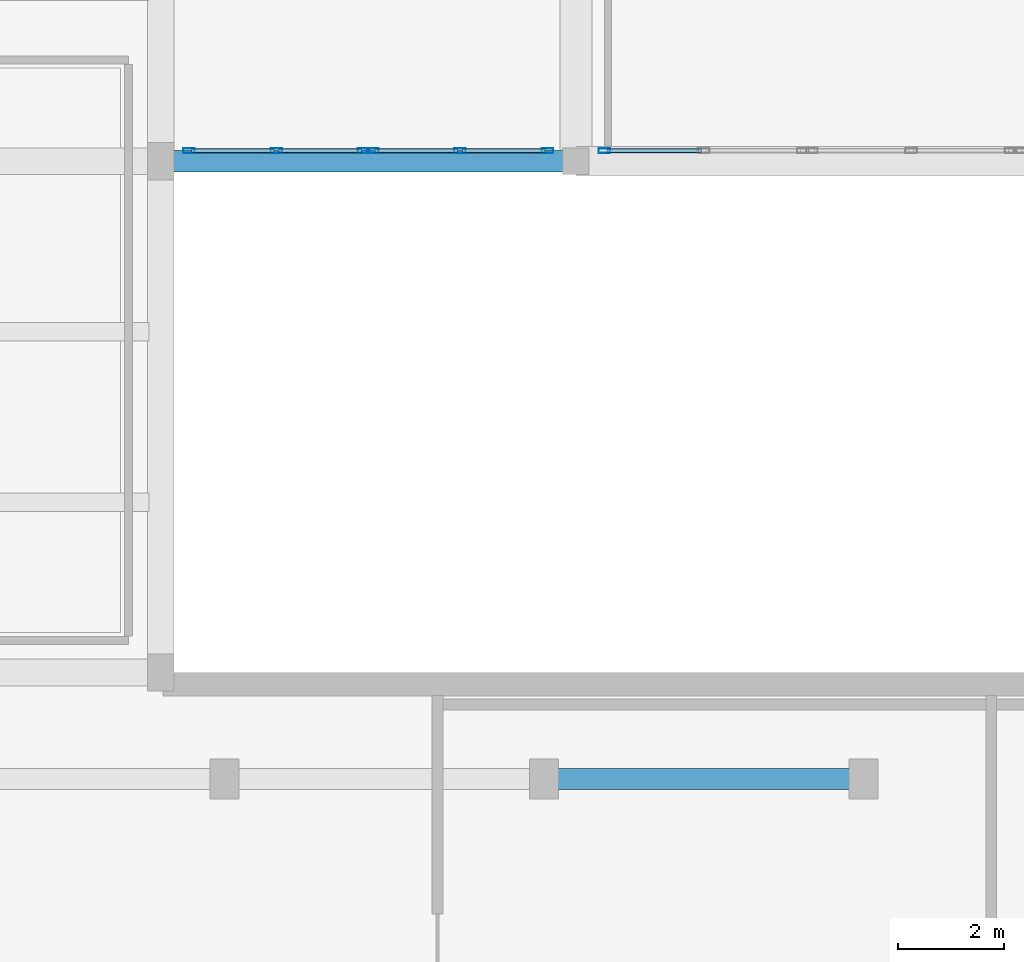
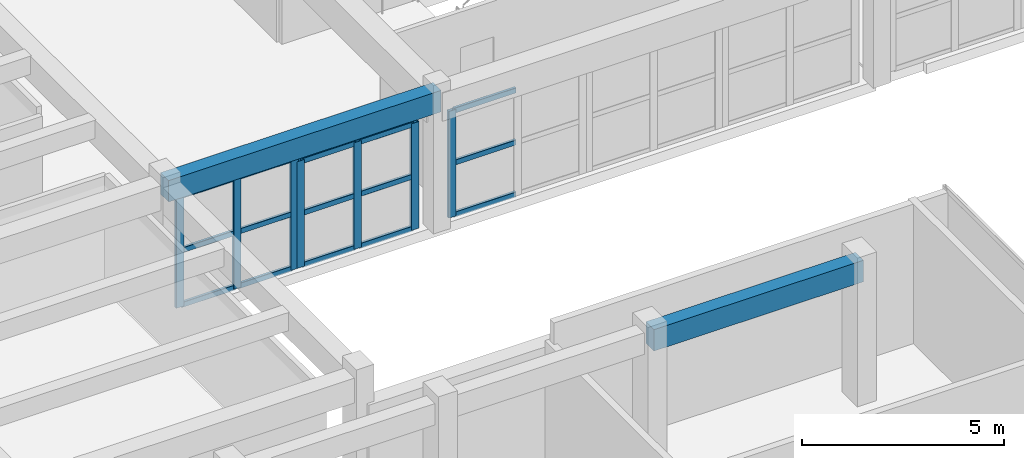
# One storey, part 13 of 92: 22 members, 2 beams, 3 elements without a shape of their own.
"""IFC4 building model written with IfcOpenShell, lengths in metres."""

from ifc_helpers import new_model, si_unit, direction, frame, origin, origin_2d, place, context, subcontext, project, spatial, rectangle, hollow_rectangle, extrude, material, layer, layer_set, material_profile, profile_set, type_object, element, aggregate, save


model = new_model("IFC4")

# Units and contexts
model_context = context("Model", 3, precision=1e-05, world=origin(), true_north=direction((0.0, 1.0)))
body_context = subcontext(model_context, "Body", "Model", "MODEL_VIEW")
ifc_project = project(units=[si_unit("LENGTHUNIT", "METRE"), si_unit("AREAUNIT", "SQUARE_METRE"), si_unit("VOLUMEUNIT", "CUBIC_METRE"), si_unit("PLANEANGLEUNIT", "RADIAN"), si_unit("MASSUNIT", "GRAM", prefix="KILO")], contexts=[model_context])

# Site, building, storey
site_placement = place(None, origin())
site = spatial("IfcSite", under=ifc_project, at=site_placement, CompositionType="ELEMENT")
building_placement = place(site_placement, origin())
building = spatial("IfcBuilding", under=site, at=building_placement, Name="Tarnavel Promenade Courthouse", CompositionType="ELEMENT")
storey_placement = place(building_placement, frame((0.0, 0.0, 5.39990234375)))
storey = spatial("IfcBuildingStorey", under=building, at=storey_placement, Name="L02", CompositionType="ELEMENT", Elevation=5.39990234375)

# Beams
ifc_material_1 = material(Name="Concrete C40/50", Category="concrete")
ifc_material_profile_1 = material_profile(ifc_material_1, rectangle(XDim=0.39990234375, YDim=0.64990234375, at=origin_2d()), Name="RC 400x650")
ifc_profile_set_1 = profile_set([ifc_material_profile_1], Name="Concrete C40/50")
beam_type = type_object("IfcBeamType", Name="Concrete C40/50 BM-RC-400x650 (RC 400x650)", PredefinedType="BEAM", material=ifc_profile_set_1)
beam_1_placement = place(storey_placement, frame((45.60009765625, 35.199951171875, 3.91015625), z_axis=(1.0, 0.0, 0.0), x_axis=(0.0, 1.0, 0.0)))
element("IfcBeam", 1, at=beam_1_placement, inside=storey, type_object=beam_type, Name="L02 Primary Longitudinal Beam 1094", PredefinedType="BEAM", context=body_context, shape_type="SweptSolid", body=[
    extrude(rectangle(XDim=0.39990234375, YDim=0.64990234375, at=origin_2d()), origin(), (0.0, 0.0, 1.0), 6.0),
])
beam_2_placement = place(storey_placement, frame((38.39990234375, 46.800048828125, 3.91015625), z_axis=(1.0, 0.0, 0.0), x_axis=(0.0, 1.0, 0.0)))
element("IfcBeam", 2, at=beam_2_placement, inside=storey, type_object=beam_type, Name="L02 Primary Longitudinal Beam 1108", PredefinedType="BEAM", context=body_context, shape_type="SweptSolid", body=[
    extrude(rectangle(XDim=0.39990234375, YDim=0.64990234375, at=origin_2d()), origin(), (0.0, 0.0, 1.0), 7.800048828125),
])

# Curtain wall, members
ifc_material_2 = material(Name="Thermally Broken Anodised Aluminium Curtain Wall System", Category="aluminium")
ifc_layer = layer(ifc_material_2, 0.239990234375)
ifc_layer_set = layer_set([ifc_layer], Name="Thermally Broken Anodised Aluminium Curtain Wall System")
curtain_wall_type = type_object("IfcCurtainWallType", Name="Thermally Broken Aluminium Triple-Glazed Curtain Wall CW-WG-S", PredefinedType="NOTDEFINED", material=ifc_layer_set)
curtain_wall_1_placement = place(storey_placement, origin())
curtain_wall_1 = element("IfcCurtainWall", 3, at=curtain_wall_1_placement, inside=storey, type_object=curtain_wall_type, Name="L02 Winter-Garden South Solar Curtain Wall 062", PredefinedType="NOTDEFINED")
ifc_material_3 = material(Name="Thermally Broken Anodised Aluminium Frame", Category="aluminium")
ifc_material_profile_2 = material_profile(ifc_material_3, hollow_rectangle(XDim=0.090087890625, YDim=0.219970703125, WallThickness=0.0048828125, InnerFilletRadius=0.0048828125, OuterFilletRadius=0.010009765625, at=origin_2d()), Name="CWM 220x90x5")
ifc_profile_set_2 = profile_set([ifc_material_profile_2], Name="Thermally Broken Anodised Aluminium Frame")
member_type_1 = type_object("IfcMemberType", Name="Thermally Broken Anodised Aluminium CWM-175 (CWM 220x90x5)", PredefinedType="MULLION", material=ifc_profile_set_2)
member_1_placement = place(storey_placement, frame((38.93505859375, 47.0, 0.0), z_axis=(0.0, 0.0, 1.0), x_axis=(0.0, 1.0, 0.0)))
member_1 = element("IfcMember", 4, at=member_1_placement, type_object=member_type_1, Name="CW-02 mullion 1", PredefinedType="MULLION", context=body_context, shape_type="SweptSolid", body=[
    extrude(hollow_rectangle(XDim=0.090087890625, YDim=0.219970703125, WallThickness=0.0048828125, InnerFilletRadius=0.0048828125, OuterFilletRadius=0.010009765625, at=origin_2d()), origin(), (0.0, 0.0, 1.0), 3.380126953125),
])
member_2_placement = place(storey_placement, frame((40.574951171875, 47.0, 0.0), z_axis=(0.0, 0.0, 1.0), x_axis=(0.0, 1.0, 0.0)))
member_2 = element("IfcMember", 5, at=member_2_placement, type_object=member_type_1, Name="CW-02 mullion 2", PredefinedType="MULLION", context=body_context, shape_type="SweptSolid", body=[
    extrude(hollow_rectangle(XDim=0.090087890625, YDim=0.219970703125, WallThickness=0.0048828125, InnerFilletRadius=0.0048828125, OuterFilletRadius=0.010009765625, at=origin_2d()), origin(), (0.0, 0.0, 1.0), 3.380126953125),
])
member_3_placement = place(storey_placement, frame((42.215087890625, 47.0, 0.0), z_axis=(0.0, 0.0, 1.0), x_axis=(0.0, 1.0, 0.0)))
member_3 = element("IfcMember", 6, at=member_3_placement, type_object=member_type_1, Name="CW-02 mullion 3", PredefinedType="MULLION", context=body_context, shape_type="SweptSolid", body=[
    extrude(hollow_rectangle(XDim=0.090087890625, YDim=0.219970703125, WallThickness=0.0048828125, InnerFilletRadius=0.0048828125, OuterFilletRadius=0.010009765625, at=origin_2d()), origin(), (0.0, 0.0, 1.0), 3.380126953125),
])

curtain_wall_2_placement = place(storey_placement, origin())
curtain_wall_2 = element("IfcCurtainWall", 7, at=curtain_wall_2_placement, inside=storey, type_object=curtain_wall_type, Name="L02 Winter-Garden South Solar Curtain Wall 063", PredefinedType="NOTDEFINED")
member_4_placement = place(storey_placement, frame((42.385009765625, 47.0, 0.0), z_axis=(0.0, 0.0, 1.0), x_axis=(0.0, 1.0, 0.0)))
member_4 = element("IfcMember", 8, at=member_4_placement, type_object=member_type_1, Name="CW-02 mullion 1", PredefinedType="MULLION", context=body_context, shape_type="SweptSolid", body=[
    extrude(hollow_rectangle(XDim=0.090087890625, YDim=0.219970703125, WallThickness=0.0048828125, InnerFilletRadius=0.0048828125, OuterFilletRadius=0.010009765625, at=origin_2d()), origin(), (0.0, 0.0, 1.0), 3.22998046875),
])
member_5_placement = place(storey_placement, frame((44.02490234375, 47.0, 0.0), z_axis=(0.0, 0.0, 1.0), x_axis=(0.0, 1.0, 0.0)))
member_5 = element("IfcMember", 9, at=member_5_placement, type_object=member_type_1, Name="CW-02 mullion 2", PredefinedType="MULLION", context=body_context, shape_type="SweptSolid", body=[
    extrude(hollow_rectangle(XDim=0.090087890625, YDim=0.219970703125, WallThickness=0.0048828125, InnerFilletRadius=0.0048828125, OuterFilletRadius=0.010009765625, at=origin_2d()), origin(), (0.0, 0.0, 1.0), 3.22998046875),
])
member_6_placement = place(storey_placement, frame((45.6650390625, 47.0, 0.0), z_axis=(0.0, 0.0, 1.0), x_axis=(0.0, 1.0, 0.0)))
member_6 = element("IfcMember", 10, at=member_6_placement, type_object=member_type_1, Name="CW-02 mullion 3", PredefinedType="MULLION", context=body_context, shape_type="SweptSolid", body=[
    extrude(hollow_rectangle(XDim=0.090087890625, YDim=0.219970703125, WallThickness=0.0048828125, InnerFilletRadius=0.0048828125, OuterFilletRadius=0.010009765625, at=origin_2d()), origin(), (0.0, 0.0, 1.0), 3.22998046875),
])

# Curtain wall, member
curtain_wall_3_placement = place(storey_placement, origin())
curtain_wall_3 = element("IfcCurtainWall", 11, at=curtain_wall_3_placement, inside=storey, type_object=curtain_wall_type, Name="L02 Winter-Garden South Solar Curtain Wall 064", PredefinedType="NOTDEFINED")
member_7_placement = place(storey_placement, frame((46.735107421875, 47.0, 0.0), z_axis=(0.0, 0.0, 1.0), x_axis=(0.0, 1.0, 0.0)))
member_7 = element("IfcMember", 12, at=member_7_placement, type_object=member_type_1, Name="CW-02 mullion 1", PredefinedType="MULLION", context=body_context, shape_type="SweptSolid", body=[
    extrude(hollow_rectangle(XDim=0.090087890625, YDim=0.219970703125, WallThickness=0.0048828125, InnerFilletRadius=0.0048828125, OuterFilletRadius=0.010009765625, at=origin_2d()), origin(), (0.0, 0.0, 1.0), 3.22998046875),
])

# Member
ifc_material_profile_3 = material_profile(ifc_material_3, hollow_rectangle(XDim=0.080078125, YDim=0.159912109375, WallThickness=0.0048828125, InnerFilletRadius=0.0048828125, OuterFilletRadius=0.010009765625, at=origin_2d()), Name="CWT 160x80x5")
ifc_profile_set_3 = profile_set([ifc_material_profile_3], Name="Thermally Broken Anodised Aluminium Frame")
member_type_2 = type_object("IfcMemberType", Name="Thermally Broken Anodised Aluminium CWT-145 (CWT 160x80x5)", PredefinedType="USERDEFINED", material=ifc_profile_set_3)
member_8_placement = place(storey_placement, frame((38.97998046875, 47.0, 0.0400390625), z_axis=(1.0, 0.0, 0.0), x_axis=(0.0, 1.0, 0.0)))
member_8 = element("IfcMember", 13, at=member_8_placement, type_object=member_type_2, Name="CW-02 transom 1.1", ObjectType="TRANSOM", PredefinedType="USERDEFINED", context=body_context, shape_type="SweptSolid", body=[
    extrude(hollow_rectangle(XDim=0.080078125, YDim=0.159912109375, WallThickness=0.0048828125, InnerFilletRadius=0.0048828125, OuterFilletRadius=0.010009765625, at=origin_2d()), origin(), (0.0, 0.0, 1.0), 1.550048828125),
])

member_9_placement = place(storey_placement, frame((38.97998046875, 47.0, 1.690185546875), z_axis=(1.0, 0.0, 0.0), x_axis=(0.0, 1.0, 0.0)))
member_9 = element("IfcMember", 14, at=member_9_placement, type_object=member_type_2, Name="CW-02 transom 1.2", ObjectType="TRANSOM", PredefinedType="USERDEFINED", context=body_context, shape_type="SweptSolid", body=[
    extrude(hollow_rectangle(XDim=0.080078125, YDim=0.159912109375, WallThickness=0.0048828125, InnerFilletRadius=0.0048828125, OuterFilletRadius=0.010009765625, at=origin_2d()), origin(), (0.0, 0.0, 1.0), 1.550048828125),
])

member_10_placement = place(storey_placement, frame((38.97998046875, 47.0, 3.340087890625), z_axis=(1.0, 0.0, 0.0), x_axis=(0.0, 1.0, 0.0)))
member_10 = element("IfcMember", 15, at=member_10_placement, type_object=member_type_2, Name="CW-02 transom 1.3", ObjectType="TRANSOM", PredefinedType="USERDEFINED", context=body_context, shape_type="SweptSolid", body=[
    extrude(hollow_rectangle(XDim=0.080078125, YDim=0.159912109375, WallThickness=0.0048828125, InnerFilletRadius=0.0048828125, OuterFilletRadius=0.010009765625, at=origin_2d()), origin(), (0.0, 0.0, 1.0), 1.550048828125),
])

member_11_placement = place(storey_placement, frame((40.6201171875, 47.0, 0.0400390625), z_axis=(1.0, 0.0, 0.0), x_axis=(0.0, 1.0, 0.0)))
member_11 = element("IfcMember", 16, at=member_11_placement, type_object=member_type_2, Name="CW-02 transom 2.1", ObjectType="TRANSOM", PredefinedType="USERDEFINED", context=body_context, shape_type="SweptSolid", body=[
    extrude(hollow_rectangle(XDim=0.080078125, YDim=0.159912109375, WallThickness=0.0048828125, InnerFilletRadius=0.0048828125, OuterFilletRadius=0.010009765625, at=origin_2d()), origin(), (0.0, 0.0, 1.0), 1.5498046875),
])

member_12_placement = place(storey_placement, frame((40.6201171875, 47.0, 1.690185546875), z_axis=(1.0, 0.0, 0.0), x_axis=(0.0, 1.0, 0.0)))
member_12 = element("IfcMember", 17, at=member_12_placement, type_object=member_type_2, Name="CW-02 transom 2.2", ObjectType="TRANSOM", PredefinedType="USERDEFINED", context=body_context, shape_type="SweptSolid", body=[
    extrude(hollow_rectangle(XDim=0.080078125, YDim=0.159912109375, WallThickness=0.0048828125, InnerFilletRadius=0.0048828125, OuterFilletRadius=0.010009765625, at=origin_2d()), origin(), (0.0, 0.0, 1.0), 1.5498046875),
])

member_13_placement = place(storey_placement, frame((40.6201171875, 47.0, 3.340087890625), z_axis=(1.0, 0.0, 0.0), x_axis=(0.0, 1.0, 0.0)))
member_13 = element("IfcMember", 18, at=member_13_placement, type_object=member_type_2, Name="CW-02 transom 2.3", ObjectType="TRANSOM", PredefinedType="USERDEFINED", context=body_context, shape_type="SweptSolid", body=[
    extrude(hollow_rectangle(XDim=0.080078125, YDim=0.159912109375, WallThickness=0.0048828125, InnerFilletRadius=0.0048828125, OuterFilletRadius=0.010009765625, at=origin_2d()), origin(), (0.0, 0.0, 1.0), 1.5498046875),
])

aggregate(curtain_wall_1, [member_1, member_2, member_3, member_8, member_9, member_10, member_11, member_12, member_13])

member_14_placement = place(storey_placement, frame((42.429931640625, 47.0, 0.0400390625), z_axis=(1.0, 0.0, 0.0), x_axis=(0.0, 1.0, 0.0)))
member_14 = element("IfcMember", 19, at=member_14_placement, type_object=member_type_2, Name="CW-02 transom 1.1", ObjectType="TRANSOM", PredefinedType="USERDEFINED", context=body_context, shape_type="SweptSolid", body=[
    extrude(hollow_rectangle(XDim=0.080078125, YDim=0.159912109375, WallThickness=0.0048828125, InnerFilletRadius=0.0048828125, OuterFilletRadius=0.010009765625, at=origin_2d()), origin(), (0.0, 0.0, 1.0), 1.550048828125),
])

member_15_placement = place(storey_placement, frame((42.429931640625, 47.0, 1.614990234375), z_axis=(1.0, 0.0, 0.0), x_axis=(0.0, 1.0, 0.0)))
member_15 = element("IfcMember", 20, at=member_15_placement, type_object=member_type_2, Name="CW-02 transom 1.2", ObjectType="TRANSOM", PredefinedType="USERDEFINED", context=body_context, shape_type="SweptSolid", body=[
    extrude(hollow_rectangle(XDim=0.080078125, YDim=0.159912109375, WallThickness=0.0048828125, InnerFilletRadius=0.0048828125, OuterFilletRadius=0.010009765625, at=origin_2d()), origin(), (0.0, 0.0, 1.0), 1.550048828125),
])

member_16_placement = place(storey_placement, frame((42.429931640625, 47.0, 3.190185546875), z_axis=(1.0, 0.0, 0.0), x_axis=(0.0, 1.0, 0.0)))
member_16 = element("IfcMember", 21, at=member_16_placement, type_object=member_type_2, Name="CW-02 transom 1.3", ObjectType="TRANSOM", PredefinedType="USERDEFINED", context=body_context, shape_type="SweptSolid", body=[
    extrude(hollow_rectangle(XDim=0.080078125, YDim=0.159912109375, WallThickness=0.0048828125, InnerFilletRadius=0.0048828125, OuterFilletRadius=0.010009765625, at=origin_2d()), origin(), (0.0, 0.0, 1.0), 1.550048828125),
])

member_17_placement = place(storey_placement, frame((44.070068359375, 47.0, 0.0400390625), z_axis=(1.0, 0.0, 0.0), x_axis=(0.0, 1.0, 0.0)))
member_17 = element("IfcMember", 22, at=member_17_placement, type_object=member_type_2, Name="CW-02 transom 2.1", ObjectType="TRANSOM", PredefinedType="USERDEFINED", context=body_context, shape_type="SweptSolid", body=[
    extrude(hollow_rectangle(XDim=0.080078125, YDim=0.159912109375, WallThickness=0.0048828125, InnerFilletRadius=0.0048828125, OuterFilletRadius=0.010009765625, at=origin_2d()), origin(), (0.0, 0.0, 1.0), 1.550048828125),
])

member_18_placement = place(storey_placement, frame((44.070068359375, 47.0, 1.614990234375), z_axis=(1.0, 0.0, 0.0), x_axis=(0.0, 1.0, 0.0)))
member_18 = element("IfcMember", 23, at=member_18_placement, type_object=member_type_2, Name="CW-02 transom 2.2", ObjectType="TRANSOM", PredefinedType="USERDEFINED", context=body_context, shape_type="SweptSolid", body=[
    extrude(hollow_rectangle(XDim=0.080078125, YDim=0.159912109375, WallThickness=0.0048828125, InnerFilletRadius=0.0048828125, OuterFilletRadius=0.010009765625, at=origin_2d()), origin(), (0.0, 0.0, 1.0), 1.550048828125),
])

member_19_placement = place(storey_placement, frame((44.070068359375, 47.0, 3.190185546875), z_axis=(1.0, 0.0, 0.0), x_axis=(0.0, 1.0, 0.0)))
member_19 = element("IfcMember", 24, at=member_19_placement, type_object=member_type_2, Name="CW-02 transom 2.3", ObjectType="TRANSOM", PredefinedType="USERDEFINED", context=body_context, shape_type="SweptSolid", body=[
    extrude(hollow_rectangle(XDim=0.080078125, YDim=0.159912109375, WallThickness=0.0048828125, InnerFilletRadius=0.0048828125, OuterFilletRadius=0.010009765625, at=origin_2d()), origin(), (0.0, 0.0, 1.0), 1.550048828125),
])

aggregate(curtain_wall_2, [member_4, member_5, member_6, member_14, member_15, member_16, member_17, member_18, member_19])

member_20_placement = place(storey_placement, frame((46.780029296875, 47.0, 0.0400390625), z_axis=(1.0, 0.0, 0.0), x_axis=(0.0, 1.0, 0.0)))
member_20 = element("IfcMember", 25, at=member_20_placement, type_object=member_type_2, Name="CW-02 transom 1.1", ObjectType="TRANSOM", PredefinedType="USERDEFINED", context=body_context, shape_type="SweptSolid", body=[
    extrude(hollow_rectangle(XDim=0.080078125, YDim=0.159912109375, WallThickness=0.0048828125, InnerFilletRadius=0.0048828125, OuterFilletRadius=0.010009765625, at=origin_2d()), origin(), (0.0, 0.0, 1.0), 1.77490234375),
])

member_21_placement = place(storey_placement, frame((46.780029296875, 47.0, 1.614990234375), z_axis=(1.0, 0.0, 0.0), x_axis=(0.0, 1.0, 0.0)))
member_21 = element("IfcMember", 26, at=member_21_placement, type_object=member_type_2, Name="CW-02 transom 1.2", ObjectType="TRANSOM", PredefinedType="USERDEFINED", context=body_context, shape_type="SweptSolid", body=[
    extrude(hollow_rectangle(XDim=0.080078125, YDim=0.159912109375, WallThickness=0.0048828125, InnerFilletRadius=0.0048828125, OuterFilletRadius=0.010009765625, at=origin_2d()), origin(), (0.0, 0.0, 1.0), 1.77490234375),
])

member_22_placement = place(storey_placement, frame((46.780029296875, 47.0, 3.190185546875), z_axis=(1.0, 0.0, 0.0), x_axis=(0.0, 1.0, 0.0)))
member_22 = element("IfcMember", 27, at=member_22_placement, type_object=member_type_2, Name="CW-02 transom 1.3", ObjectType="TRANSOM", PredefinedType="USERDEFINED", context=body_context, shape_type="SweptSolid", body=[
    extrude(hollow_rectangle(XDim=0.080078125, YDim=0.159912109375, WallThickness=0.0048828125, InnerFilletRadius=0.0048828125, OuterFilletRadius=0.010009765625, at=origin_2d()), origin(), (0.0, 0.0, 1.0), 1.77490234375),
])

aggregate(curtain_wall_3, [member_7, member_20, member_21, member_22])

save(model, "model.ifc")
